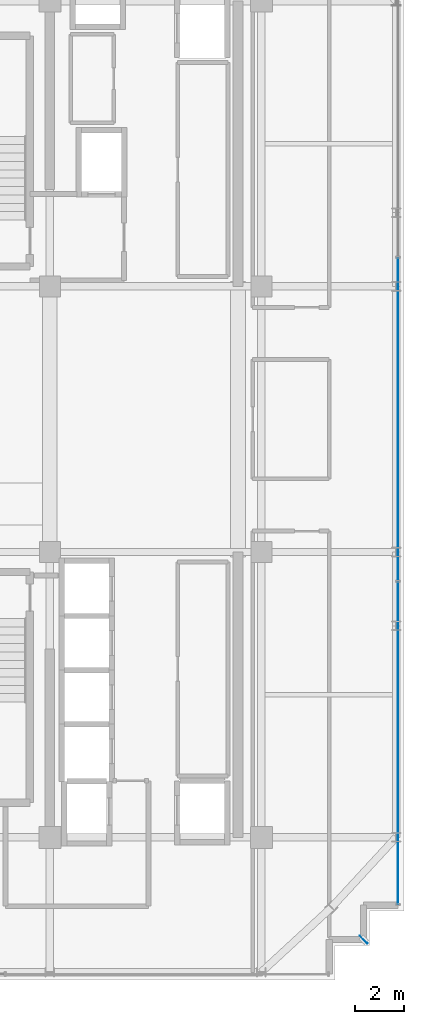
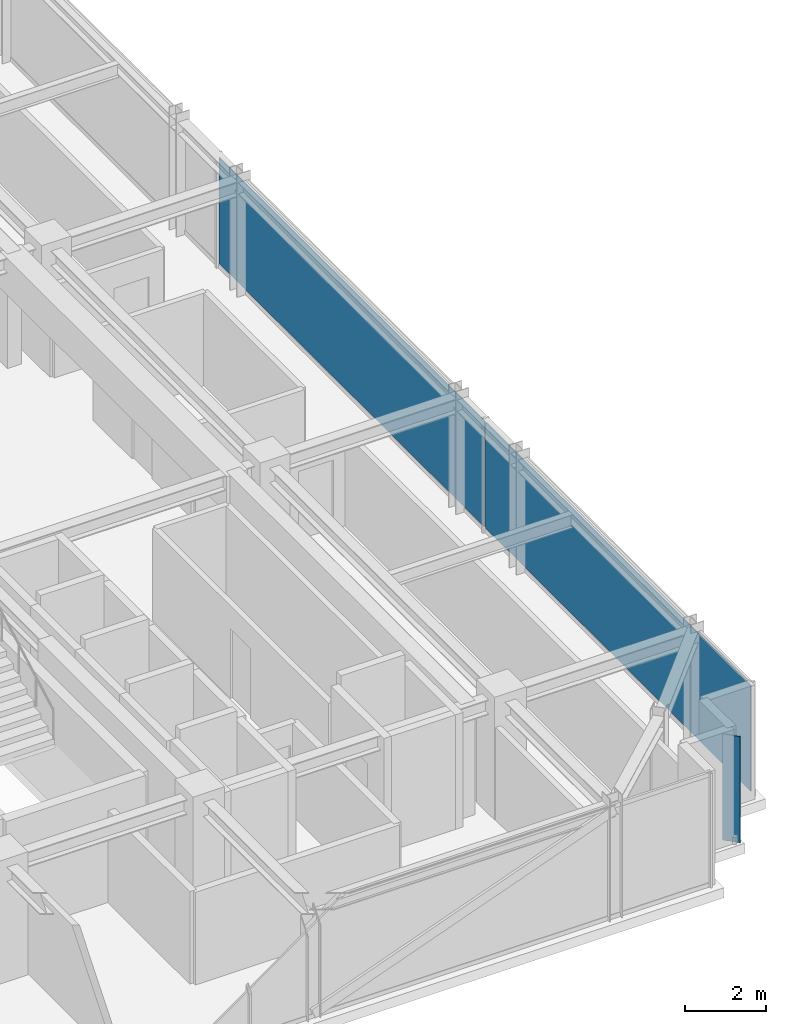
# One storey, part 27 of 36: 3 plates, 1 element without a shape of its own.
"""IFC4 building model written with IfcOpenShell, lengths in metres."""

from ifc_helpers import new_model, si_unit, direction, frame, origin, origin_2d, place, context, subcontext, project, spatial, rectangle, extrude, source, transform, mapped, material, layer, layer_set, type_object, element, aggregate, save


model = new_model("IFC4")

# Units and contexts
model_context = context("Model", 3, precision=1e-05, world=origin(), true_north=direction((0.0, 1.0)))
body_context = subcontext(model_context, "Body", "Model", "MODEL_VIEW")
ifc_project = project(units=[si_unit("LENGTHUNIT", "METRE"), si_unit("AREAUNIT", "SQUARE_METRE"), si_unit("VOLUMEUNIT", "CUBIC_METRE"), si_unit("PLANEANGLEUNIT", "RADIAN"), si_unit("MASSUNIT", "GRAM", prefix="KILO")], contexts=[model_context])

# Site, building, storey
site_placement = place(None, origin())
site = spatial("IfcSite", under=ifc_project, at=site_placement, CompositionType="ELEMENT")
building_placement = place(site_placement, origin())
building = spatial("IfcBuilding", under=site, at=building_placement, Name="Nahalor Promenade Grand Hotel", CompositionType="ELEMENT")
storey_placement = place(building_placement, frame((0.0, 0.0, 273.800048828125)))
storey = spatial("IfcBuildingStorey", under=building, at=storey_placement, Name="L70", CompositionType="ELEMENT", Elevation=273.800048828125)

# Plate
ifc_material_1 = material(Name="Anodised Bronze Aluminium EN AW-6063 T6", Category="aluminium")
ifc_layer_1 = layer(ifc_material_1, 0.02001953125)
ifc_layer_set_1 = layer_set([ifc_layer_1], Name="Anodised Bronze Aluminium EN AW-6063 T6")
plate_type_1 = type_object("IfcPlateType", Name="Plate-CornerFin-20", PredefinedType="SHEET", material=ifc_layer_set_1)
shared_shape_1 = source(origin(), body_context, "Body", "SweptSolid", [
    extrude(rectangle(XDim=0.449951171875, YDim=0.02001953125, at=origin_2d()), origin(), (0.0, 0.0, 1.0), 3.199951171875),
])
plate_1_placement = place(storey_placement, frame((21.159912109375, -21.159912109375, 0.0), z_axis=(0.0, 0.0, 1.0), x_axis=(-0.707106781187, 0.707106781187, 0.0)))
element("IfcPlate", 1, at=plate_1_placement, inside=storey, type_object=plate_type_1, Name="FIN-L70-SE", PredefinedType="SHEET", context=body_context, shape_type="MappedRepresentation", body=[
    mapped(shared_shape_1, transform((0.0, 0.0, 0.0), scale=1.0)),
])

# Curtain wall, plates
curtain_wall_type = type_object("IfcCurtainWallType", Name="CW2 Typical Hotel Flush Bronze Unitised Curtain Wall", PredefinedType="USERDEFINED", material=ifc_material_1)
curtain_wall_placement = place(storey_placement, origin())
curtain_wall = element("IfcCurtainWall", 2, at=curtain_wall_placement, inside=storey, type_object=curtain_wall_type, Name="L70 Curtain Wall CW-L70-E-1", ObjectType="UNITISED_CURTAIN_WALL", PredefinedType="USERDEFINED")
ifc_material_2 = material(Name="Low-E Laminated Solar Glass", Category="glass")
ifc_layer_2 = layer(ifc_material_2, 0.028076171875)
ifc_layer_set_2 = layer_set([ifc_layer_2], Name="Low-E Laminated Solar Glass")
plate_type_2 = type_object("IfcPlateType", Name="CWP2 Bronze Low-E Vision IGU 28mm", PredefinedType="CURTAIN_PANEL", material=ifc_layer_set_2)
shared_shape_2 = source(origin(), body_context, "Body", "SweptSolid", [
    extrude(rectangle(XDim=13.1083984375, YDim=0.028076171875, at=origin_2d()), origin(), (0.0, 0.0, 1.0), 3.18994140625),
])
plate_2_placement = place(storey_placement, frame((22.56005859375, 0.0, 0.1298828125), z_axis=(0.0, 0.0, 1.0), x_axis=(0.0, 1.0, 0.0)))
plate_2 = element("IfcPlate", 3, at=plate_2_placement, type_object=plate_type_2, Name="CW-L70-E-1 Glazing Panel 1-0", PredefinedType="CURTAIN_PANEL", context=body_context, shape_type="MappedRepresentation", body=[
    mapped(shared_shape_2, transform((0.0, 0.0, 0.0), scale=1.0)),
])
shared_shape_3 = source(origin(), body_context, "Body", "SweptSolid", [
    extrude(rectangle(XDim=13.075927734375, YDim=0.028076171875, at=origin_2d()), origin(), (0.0, 0.0, 1.0), 3.18994140625),
])
plate_3_placement = place(storey_placement, frame((22.56005859375, -13.156982421875, 0.1298828125), z_axis=(0.0, 0.0, 1.0), x_axis=(0.0, 1.0, 0.0)))
plate_3 = element("IfcPlate", 4, at=plate_3_placement, type_object=plate_type_2, Name="CW-L70-E-1 Glazing Panel 0-0", PredefinedType="CURTAIN_PANEL", context=body_context, shape_type="MappedRepresentation", body=[
    mapped(shared_shape_3, transform((0.0, 0.0, 0.0), scale=1.0)),
])
aggregate(curtain_wall, [plate_3, plate_2])

save(model, "model.ifc")
